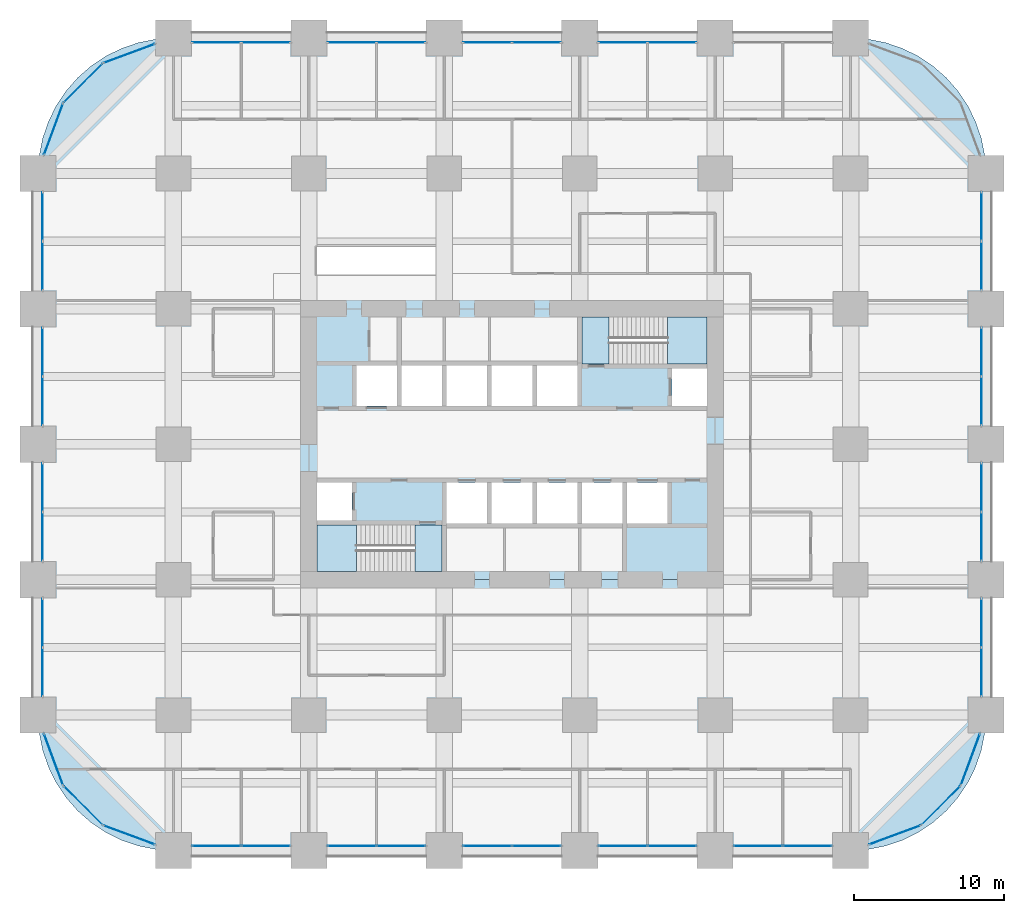
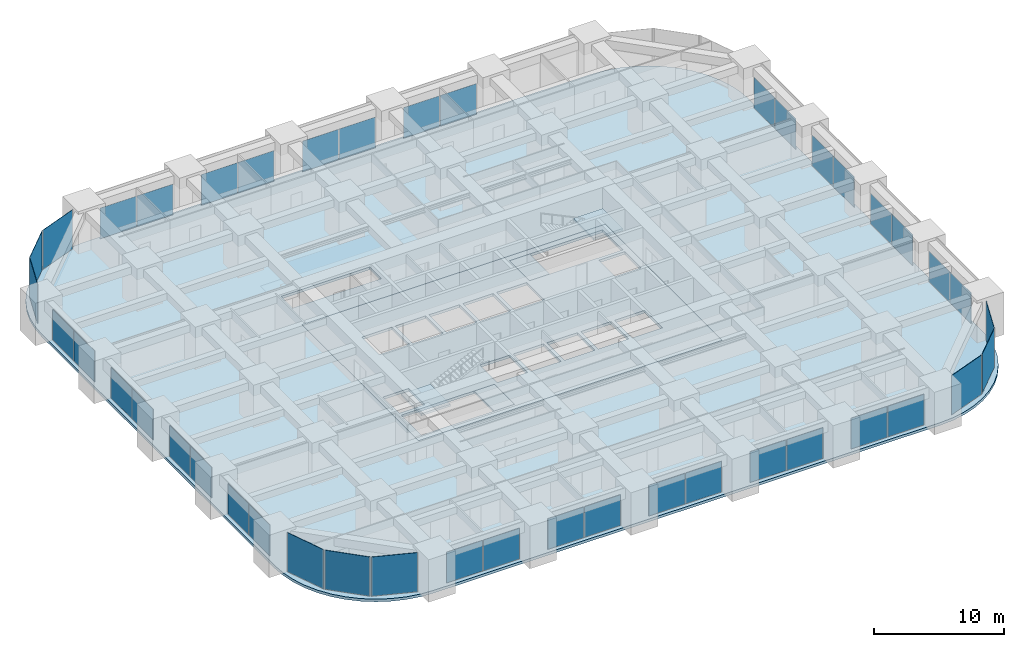
# One storey, part 38 of 44: 43 plates, 6 slabs, 28 elements without a shape of their own.
"""IFC4 building model written with IfcOpenShell, lengths in metres."""

from ifc_helpers import new_model, si_unit, direction, frame, origin, origin_2d, place, context, subcontext, project, spatial, polyline, rectangle, outline, extrude, material, layer, layer_set, type_object, element, aggregate, save


model = new_model("IFC4")

# Units and contexts
model_context = context("Model", 3, precision=1e-05, world=origin(), true_north=direction((0.0, 1.0)))
body_context = subcontext(model_context, "Body", "Model", "MODEL_VIEW")
ifc_project = project(units=[si_unit("LENGTHUNIT", "METRE"), si_unit("AREAUNIT", "SQUARE_METRE"), si_unit("VOLUMEUNIT", "CUBIC_METRE"), si_unit("PLANEANGLEUNIT", "RADIAN"), si_unit("MASSUNIT", "GRAM", prefix="KILO")], contexts=[model_context])

# Site, building, storey
site_placement = place(None, origin())
site = spatial("IfcSite", under=ifc_project, at=site_placement, CompositionType="ELEMENT")
building_placement = place(site_placement, origin())
building = spatial("IfcBuilding", under=site, at=building_placement, Name="Zorevar Civic Tower", CompositionType="ELEMENT")
storey_placement = place(building_placement, frame((0.0, 0.0, 43.800048828125)))
storey = spatial("IfcBuildingStorey", under=building, at=storey_placement, Name="L10", CompositionType="ELEMENT", Elevation=43.800048828125)

# Curtain wall, plates
ifc_material_1 = material(Name="Dark grey solar-control glass in black aluminium frame", Category="aluminium")
curtain_wall_type = type_object("IfcCurtainWallType", Name="Curtain wall CW2 low zone", PredefinedType="NOTDEFINED", material=ifc_material_1)
curtain_wall_1_placement = place(storey_placement, origin())
curtain_wall_1 = element("IfcCurtainWall", 1, at=curtain_wall_1_placement, inside=storey, type_object=curtain_wall_type, Name="CW2 L10", PredefinedType="NOTDEFINED")
ifc_material_2 = material(Name="Dark grey solar-control glass", Category="glass")
ifc_layer_1 = layer(ifc_material_2, 0.031982421875)
ifc_layer_set_1 = layer_set([ifc_layer_1], Name="CW2 panel 32")
plate_type = type_object("IfcPlateType", Name="CW2 panel 32", PredefinedType="CURTAIN_PANEL", material=ifc_layer_set_1)
plate_1_placement = place(storey_placement, frame((11.864990234375, 0.300048828125, 0.06005859375), z_axis=(0.0, 0.0, 1.0), x_axis=(1.0, 0.0, 0.0)))
plate_1 = element("IfcPlate", 2, at=plate_1_placement, type_object=plate_type, Name="CW2 panel 1.1", PredefinedType="CURTAIN_PANEL", context=body_context, shape_type="SweptSolid", body=[
    extrude(rectangle(XDim=3.2099609375, YDim=0.031982421875, at=origin_2d()), origin(), (0.0, 0.0, 1.0), 2.889892578125),
])
plate_2_placement = place(storey_placement, frame((15.135009765625, 0.300048828125, 0.06005859375), z_axis=(0.0, 0.0, 1.0), x_axis=(1.0, 0.0, 0.0)))
plate_2 = element("IfcPlate", 3, at=plate_2_placement, type_object=plate_type, Name="CW2 panel 2.1", PredefinedType="CURTAIN_PANEL", context=body_context, shape_type="SweptSolid", body=[
    extrude(rectangle(XDim=3.2099609375, YDim=0.031982421875, at=origin_2d()), origin(), (0.0, 0.0, 1.0), 2.889892578125),
])
aggregate(curtain_wall_1, [plate_1, plate_2])

curtain_wall_2_placement = place(storey_placement, origin())
curtain_wall_2 = element("IfcCurtainWall", 4, at=curtain_wall_2_placement, inside=storey, type_object=curtain_wall_type, Name="CW2 L10", PredefinedType="NOTDEFINED")
plate_3_placement = place(storey_placement, frame((11.864990234375, 53.699951171875, 0.06005859375), z_axis=(0.0, 0.0, 1.0), x_axis=(1.0, 0.0, 0.0)))
plate_3 = element("IfcPlate", 5, at=plate_3_placement, type_object=plate_type, Name="CW2 panel 1.1", PredefinedType="CURTAIN_PANEL", context=body_context, shape_type="SweptSolid", body=[
    extrude(rectangle(XDim=3.2099609375, YDim=0.031982421875, at=origin_2d()), origin(), (0.0, 0.0, 1.0), 2.889892578125),
])
plate_4_placement = place(storey_placement, frame((15.135009765625, 53.699951171875, 0.06005859375), z_axis=(0.0, 0.0, 1.0), x_axis=(1.0, 0.0, 0.0)))
plate_4 = element("IfcPlate", 6, at=plate_4_placement, type_object=plate_type, Name="CW2 panel 2.1", PredefinedType="CURTAIN_PANEL", context=body_context, shape_type="SweptSolid", body=[
    extrude(rectangle(XDim=3.2099609375, YDim=0.031982421875, at=origin_2d()), origin(), (0.0, 0.0, 1.0), 2.889892578125),
])
aggregate(curtain_wall_2, [plate_3, plate_4])

curtain_wall_3_placement = place(storey_placement, origin())
curtain_wall_3 = element("IfcCurtainWall", 7, at=curtain_wall_3_placement, inside=storey, type_object=curtain_wall_type, Name="CW2 L10", PredefinedType="NOTDEFINED")
plate_5_placement = place(storey_placement, frame((20.864990234375, 0.300048828125, 0.06005859375), z_axis=(0.0, 0.0, 1.0), x_axis=(1.0, 0.0, 0.0)))
plate_5 = element("IfcPlate", 8, at=plate_5_placement, type_object=plate_type, Name="CW2 panel 1.1", PredefinedType="CURTAIN_PANEL", context=body_context, shape_type="SweptSolid", body=[
    extrude(rectangle(XDim=3.2099609375, YDim=0.031982421875, at=origin_2d()), origin(), (0.0, 0.0, 1.0), 2.889892578125),
])
plate_6_placement = place(storey_placement, frame((24.135009765625, 0.300048828125, 0.06005859375), z_axis=(0.0, 0.0, 1.0), x_axis=(1.0, 0.0, 0.0)))
plate_6 = element("IfcPlate", 9, at=plate_6_placement, type_object=plate_type, Name="CW2 panel 2.1", PredefinedType="CURTAIN_PANEL", context=body_context, shape_type="SweptSolid", body=[
    extrude(rectangle(XDim=3.2099609375, YDim=0.031982421875, at=origin_2d()), origin(), (0.0, 0.0, 1.0), 2.889892578125),
])
aggregate(curtain_wall_3, [plate_5, plate_6])

curtain_wall_4_placement = place(storey_placement, origin())
curtain_wall_4 = element("IfcCurtainWall", 10, at=curtain_wall_4_placement, inside=storey, type_object=curtain_wall_type, Name="CW2 L10", PredefinedType="NOTDEFINED")
plate_7_placement = place(storey_placement, frame((20.864990234375, 53.699951171875, 0.06005859375), z_axis=(0.0, 0.0, 1.0), x_axis=(1.0, 0.0, 0.0)))
plate_7 = element("IfcPlate", 11, at=plate_7_placement, type_object=plate_type, Name="CW2 panel 1.1", PredefinedType="CURTAIN_PANEL", context=body_context, shape_type="SweptSolid", body=[
    extrude(rectangle(XDim=3.2099609375, YDim=0.031982421875, at=origin_2d()), origin(), (0.0, 0.0, 1.0), 2.889892578125),
])
plate_8_placement = place(storey_placement, frame((24.135009765625, 53.699951171875, 0.06005859375), z_axis=(0.0, 0.0, 1.0), x_axis=(1.0, 0.0, 0.0)))
plate_8 = element("IfcPlate", 12, at=plate_8_placement, type_object=plate_type, Name="CW2 panel 2.1", PredefinedType="CURTAIN_PANEL", context=body_context, shape_type="SweptSolid", body=[
    extrude(rectangle(XDim=3.2099609375, YDim=0.031982421875, at=origin_2d()), origin(), (0.0, 0.0, 1.0), 2.889892578125),
])
aggregate(curtain_wall_4, [plate_7, plate_8])

curtain_wall_5_placement = place(storey_placement, origin())
curtain_wall_5 = element("IfcCurtainWall", 13, at=curtain_wall_5_placement, inside=storey, type_object=curtain_wall_type, Name="CW2 L10", PredefinedType="NOTDEFINED")
plate_9_placement = place(storey_placement, frame((29.864990234375, 0.300048828125, 0.06005859375), z_axis=(0.0, 0.0, 1.0), x_axis=(1.0, 0.0, 0.0)))
plate_9 = element("IfcPlate", 14, at=plate_9_placement, type_object=plate_type, Name="CW2 panel 1.1", PredefinedType="CURTAIN_PANEL", context=body_context, shape_type="SweptSolid", body=[
    extrude(rectangle(XDim=3.2099609375, YDim=0.031982421875, at=origin_2d()), origin(), (0.0, 0.0, 1.0), 2.889892578125),
])
plate_10_placement = place(storey_placement, frame((33.135009765625, 0.300048828125, 0.06005859375), z_axis=(0.0, 0.0, 1.0), x_axis=(1.0, 0.0, 0.0)))
plate_10 = element("IfcPlate", 15, at=plate_10_placement, type_object=plate_type, Name="CW2 panel 2.1", PredefinedType="CURTAIN_PANEL", context=body_context, shape_type="SweptSolid", body=[
    extrude(rectangle(XDim=3.2099609375, YDim=0.031982421875, at=origin_2d()), origin(), (0.0, 0.0, 1.0), 2.889892578125),
])
aggregate(curtain_wall_5, [plate_9, plate_10])

curtain_wall_6_placement = place(storey_placement, origin())
curtain_wall_6 = element("IfcCurtainWall", 16, at=curtain_wall_6_placement, inside=storey, type_object=curtain_wall_type, Name="CW2 L10", PredefinedType="NOTDEFINED")
plate_11_placement = place(storey_placement, frame((29.864990234375, 53.699951171875, 0.06005859375), z_axis=(0.0, 0.0, 1.0), x_axis=(1.0, 0.0, 0.0)))
plate_11 = element("IfcPlate", 17, at=plate_11_placement, type_object=plate_type, Name="CW2 panel 1.1", PredefinedType="CURTAIN_PANEL", context=body_context, shape_type="SweptSolid", body=[
    extrude(rectangle(XDim=3.2099609375, YDim=0.031982421875, at=origin_2d()), origin(), (0.0, 0.0, 1.0), 2.889892578125),
])
plate_12_placement = place(storey_placement, frame((33.135009765625, 53.699951171875, 0.06005859375), z_axis=(0.0, 0.0, 1.0), x_axis=(1.0, 0.0, 0.0)))
plate_12 = element("IfcPlate", 18, at=plate_12_placement, type_object=plate_type, Name="CW2 panel 2.1", PredefinedType="CURTAIN_PANEL", context=body_context, shape_type="SweptSolid", body=[
    extrude(rectangle(XDim=3.2099609375, YDim=0.031982421875, at=origin_2d()), origin(), (0.0, 0.0, 1.0), 2.889892578125),
])
aggregate(curtain_wall_6, [plate_11, plate_12])

curtain_wall_7_placement = place(storey_placement, origin())
curtain_wall_7 = element("IfcCurtainWall", 19, at=curtain_wall_7_placement, inside=storey, type_object=curtain_wall_type, Name="CW2 L10", PredefinedType="NOTDEFINED")
plate_13_placement = place(storey_placement, frame((38.864990234375, 0.300048828125, 0.06005859375), z_axis=(0.0, 0.0, 1.0), x_axis=(1.0, 0.0, 0.0)))
plate_13 = element("IfcPlate", 20, at=plate_13_placement, type_object=plate_type, Name="CW2 panel 1.1", PredefinedType="CURTAIN_PANEL", context=body_context, shape_type="SweptSolid", body=[
    extrude(rectangle(XDim=3.2099609375, YDim=0.031982421875, at=origin_2d()), origin(), (0.0, 0.0, 1.0), 2.889892578125),
])
plate_14_placement = place(storey_placement, frame((42.135009765625, 0.300048828125, 0.06005859375), z_axis=(0.0, 0.0, 1.0), x_axis=(1.0, 0.0, 0.0)))
plate_14 = element("IfcPlate", 21, at=plate_14_placement, type_object=plate_type, Name="CW2 panel 2.1", PredefinedType="CURTAIN_PANEL", context=body_context, shape_type="SweptSolid", body=[
    extrude(rectangle(XDim=3.2099609375, YDim=0.031982421875, at=origin_2d()), origin(), (0.0, 0.0, 1.0), 2.889892578125),
])
aggregate(curtain_wall_7, [plate_13, plate_14])

curtain_wall_8_placement = place(storey_placement, origin())
curtain_wall_8 = element("IfcCurtainWall", 22, at=curtain_wall_8_placement, inside=storey, type_object=curtain_wall_type, Name="CW2 L10", PredefinedType="NOTDEFINED")
plate_15_placement = place(storey_placement, frame((38.864990234375, 53.699951171875, 0.06005859375), z_axis=(0.0, 0.0, 1.0), x_axis=(1.0, 0.0, 0.0)))
plate_15 = element("IfcPlate", 23, at=plate_15_placement, type_object=plate_type, Name="CW2 panel 1.1", PredefinedType="CURTAIN_PANEL", context=body_context, shape_type="SweptSolid", body=[
    extrude(rectangle(XDim=3.2099609375, YDim=0.031982421875, at=origin_2d()), origin(), (0.0, 0.0, 1.0), 2.889892578125),
])
plate_16_placement = place(storey_placement, frame((42.135009765625, 53.699951171875, 0.06005859375), z_axis=(0.0, 0.0, 1.0), x_axis=(1.0, 0.0, 0.0)))
plate_16 = element("IfcPlate", 24, at=plate_16_placement, type_object=plate_type, Name="CW2 panel 2.1", PredefinedType="CURTAIN_PANEL", context=body_context, shape_type="SweptSolid", body=[
    extrude(rectangle(XDim=3.2099609375, YDim=0.031982421875, at=origin_2d()), origin(), (0.0, 0.0, 1.0), 2.889892578125),
])
aggregate(curtain_wall_8, [plate_15, plate_16])

curtain_wall_9_placement = place(storey_placement, origin())
curtain_wall_9 = element("IfcCurtainWall", 25, at=curtain_wall_9_placement, inside=storey, type_object=curtain_wall_type, Name="CW2 L10", PredefinedType="NOTDEFINED")
plate_17_placement = place(storey_placement, frame((47.864990234375, 0.300048828125, 0.06005859375), z_axis=(0.0, 0.0, 1.0), x_axis=(1.0, 0.0, 0.0)))
plate_17 = element("IfcPlate", 26, at=plate_17_placement, type_object=plate_type, Name="CW2 panel 1.1", PredefinedType="CURTAIN_PANEL", context=body_context, shape_type="SweptSolid", body=[
    extrude(rectangle(XDim=3.2099609375, YDim=0.031982421875, at=origin_2d()), origin(), (0.0, 0.0, 1.0), 2.889892578125),
])
plate_18_placement = place(storey_placement, frame((51.135009765625, 0.300048828125, 0.06005859375), z_axis=(0.0, 0.0, 1.0), x_axis=(1.0, 0.0, 0.0)))
plate_18 = element("IfcPlate", 27, at=plate_18_placement, type_object=plate_type, Name="CW2 panel 2.1", PredefinedType="CURTAIN_PANEL", context=body_context, shape_type="SweptSolid", body=[
    extrude(rectangle(XDim=3.2099609375, YDim=0.031982421875, at=origin_2d()), origin(), (0.0, 0.0, 1.0), 2.889892578125),
])
aggregate(curtain_wall_9, [plate_17, plate_18])

curtain_wall_10_placement = place(storey_placement, origin())
curtain_wall_10 = element("IfcCurtainWall", 28, at=curtain_wall_10_placement, inside=storey, type_object=curtain_wall_type, Name="CW2 L10", PredefinedType="NOTDEFINED")
plate_19_placement = place(storey_placement, frame((0.300048828125, 11.864990234375, 0.06005859375), z_axis=(0.0, 0.0, 1.0), x_axis=(0.0, 1.0, 0.0)))
plate_19 = element("IfcPlate", 29, at=plate_19_placement, type_object=plate_type, Name="CW2 panel 1.1", PredefinedType="CURTAIN_PANEL", context=body_context, shape_type="SweptSolid", body=[
    extrude(rectangle(XDim=3.2099609375, YDim=0.031982421875, at=origin_2d()), origin(), (0.0, 0.0, 1.0), 2.889892578125),
])
plate_20_placement = place(storey_placement, frame((0.300048828125, 15.135009765625, 0.06005859375), z_axis=(0.0, 0.0, 1.0), x_axis=(0.0, 1.0, 0.0)))
plate_20 = element("IfcPlate", 30, at=plate_20_placement, type_object=plate_type, Name="CW2 panel 2.1", PredefinedType="CURTAIN_PANEL", context=body_context, shape_type="SweptSolid", body=[
    extrude(rectangle(XDim=3.2099609375, YDim=0.031982421875, at=origin_2d()), origin(), (0.0, 0.0, 1.0), 2.889892578125),
])
aggregate(curtain_wall_10, [plate_19, plate_20])

curtain_wall_11_placement = place(storey_placement, origin())
curtain_wall_11 = element("IfcCurtainWall", 31, at=curtain_wall_11_placement, inside=storey, type_object=curtain_wall_type, Name="CW2 L10", PredefinedType="NOTDEFINED")
plate_21_placement = place(storey_placement, frame((62.699951171875, 11.864990234375, 0.06005859375), z_axis=(0.0, 0.0, 1.0), x_axis=(0.0, 1.0, 0.0)))
plate_21 = element("IfcPlate", 32, at=plate_21_placement, type_object=plate_type, Name="CW2 panel 1.1", PredefinedType="CURTAIN_PANEL", context=body_context, shape_type="SweptSolid", body=[
    extrude(rectangle(XDim=3.2099609375, YDim=0.031982421875, at=origin_2d()), origin(), (0.0, 0.0, 1.0), 2.889892578125),
])
plate_22_placement = place(storey_placement, frame((62.699951171875, 15.135009765625, 0.06005859375), z_axis=(0.0, 0.0, 1.0), x_axis=(0.0, 1.0, 0.0)))
plate_22 = element("IfcPlate", 33, at=plate_22_placement, type_object=plate_type, Name="CW2 panel 2.1", PredefinedType="CURTAIN_PANEL", context=body_context, shape_type="SweptSolid", body=[
    extrude(rectangle(XDim=3.2099609375, YDim=0.031982421875, at=origin_2d()), origin(), (0.0, 0.0, 1.0), 2.889892578125),
])
aggregate(curtain_wall_11, [plate_21, plate_22])

curtain_wall_12_placement = place(storey_placement, origin())
curtain_wall_12 = element("IfcCurtainWall", 34, at=curtain_wall_12_placement, inside=storey, type_object=curtain_wall_type, Name="CW2 L10", PredefinedType="NOTDEFINED")
plate_23_placement = place(storey_placement, frame((0.300048828125, 20.864990234375, 0.06005859375), z_axis=(0.0, 0.0, 1.0), x_axis=(0.0, 1.0, 0.0)))
plate_23 = element("IfcPlate", 35, at=plate_23_placement, type_object=plate_type, Name="CW2 panel 1.1", PredefinedType="CURTAIN_PANEL", context=body_context, shape_type="SweptSolid", body=[
    extrude(rectangle(XDim=3.2099609375, YDim=0.031982421875, at=origin_2d()), origin(), (0.0, 0.0, 1.0), 2.889892578125),
])
plate_24_placement = place(storey_placement, frame((0.300048828125, 24.135009765625, 0.06005859375), z_axis=(0.0, 0.0, 1.0), x_axis=(0.0, 1.0, 0.0)))
plate_24 = element("IfcPlate", 36, at=plate_24_placement, type_object=plate_type, Name="CW2 panel 2.1", PredefinedType="CURTAIN_PANEL", context=body_context, shape_type="SweptSolid", body=[
    extrude(rectangle(XDim=3.2099609375, YDim=0.031982421875, at=origin_2d()), origin(), (0.0, 0.0, 1.0), 2.889892578125),
])
aggregate(curtain_wall_12, [plate_23, plate_24])

curtain_wall_13_placement = place(storey_placement, origin())
curtain_wall_13 = element("IfcCurtainWall", 37, at=curtain_wall_13_placement, inside=storey, type_object=curtain_wall_type, Name="CW2 L10", PredefinedType="NOTDEFINED")
plate_25_placement = place(storey_placement, frame((62.699951171875, 20.864990234375, 0.06005859375), z_axis=(0.0, 0.0, 1.0), x_axis=(0.0, 1.0, 0.0)))
plate_25 = element("IfcPlate", 38, at=plate_25_placement, type_object=plate_type, Name="CW2 panel 1.1", PredefinedType="CURTAIN_PANEL", context=body_context, shape_type="SweptSolid", body=[
    extrude(rectangle(XDim=3.2099609375, YDim=0.031982421875, at=origin_2d()), origin(), (0.0, 0.0, 1.0), 2.889892578125),
])
plate_26_placement = place(storey_placement, frame((62.699951171875, 24.135009765625, 0.06005859375), z_axis=(0.0, 0.0, 1.0), x_axis=(0.0, 1.0, 0.0)))
plate_26 = element("IfcPlate", 39, at=plate_26_placement, type_object=plate_type, Name="CW2 panel 2.1", PredefinedType="CURTAIN_PANEL", context=body_context, shape_type="SweptSolid", body=[
    extrude(rectangle(XDim=3.2099609375, YDim=0.031982421875, at=origin_2d()), origin(), (0.0, 0.0, 1.0), 2.889892578125),
])
aggregate(curtain_wall_13, [plate_25, plate_26])

curtain_wall_14_placement = place(storey_placement, origin())
curtain_wall_14 = element("IfcCurtainWall", 40, at=curtain_wall_14_placement, inside=storey, type_object=curtain_wall_type, Name="CW2 L10", PredefinedType="NOTDEFINED")
plate_27_placement = place(storey_placement, frame((0.300048828125, 29.864990234375, 0.06005859375), z_axis=(0.0, 0.0, 1.0), x_axis=(0.0, 1.0, 0.0)))
plate_27 = element("IfcPlate", 41, at=plate_27_placement, type_object=plate_type, Name="CW2 panel 1.1", PredefinedType="CURTAIN_PANEL", context=body_context, shape_type="SweptSolid", body=[
    extrude(rectangle(XDim=3.2099609375, YDim=0.031982421875, at=origin_2d()), origin(), (0.0, 0.0, 1.0), 2.889892578125),
])
plate_28_placement = place(storey_placement, frame((0.300048828125, 33.135009765625, 0.06005859375), z_axis=(0.0, 0.0, 1.0), x_axis=(0.0, 1.0, 0.0)))
plate_28 = element("IfcPlate", 42, at=plate_28_placement, type_object=plate_type, Name="CW2 panel 2.1", PredefinedType="CURTAIN_PANEL", context=body_context, shape_type="SweptSolid", body=[
    extrude(rectangle(XDim=3.2099609375, YDim=0.031982421875, at=origin_2d()), origin(), (0.0, 0.0, 1.0), 2.889892578125),
])
aggregate(curtain_wall_14, [plate_27, plate_28])

curtain_wall_15_placement = place(storey_placement, origin())
curtain_wall_15 = element("IfcCurtainWall", 43, at=curtain_wall_15_placement, inside=storey, type_object=curtain_wall_type, Name="CW2 L10", PredefinedType="NOTDEFINED")
plate_29_placement = place(storey_placement, frame((62.699951171875, 29.864990234375, 0.06005859375), z_axis=(0.0, 0.0, 1.0), x_axis=(0.0, 1.0, 0.0)))
plate_29 = element("IfcPlate", 44, at=plate_29_placement, type_object=plate_type, Name="CW2 panel 1.1", PredefinedType="CURTAIN_PANEL", context=body_context, shape_type="SweptSolid", body=[
    extrude(rectangle(XDim=3.2099609375, YDim=0.031982421875, at=origin_2d()), origin(), (0.0, 0.0, 1.0), 2.889892578125),
])
plate_30_placement = place(storey_placement, frame((62.699951171875, 33.135009765625, 0.06005859375), z_axis=(0.0, 0.0, 1.0), x_axis=(0.0, 1.0, 0.0)))
plate_30 = element("IfcPlate", 45, at=plate_30_placement, type_object=plate_type, Name="CW2 panel 2.1", PredefinedType="CURTAIN_PANEL", context=body_context, shape_type="SweptSolid", body=[
    extrude(rectangle(XDim=3.2099609375, YDim=0.031982421875, at=origin_2d()), origin(), (0.0, 0.0, 1.0), 2.889892578125),
])
aggregate(curtain_wall_15, [plate_29, plate_30])

curtain_wall_16_placement = place(storey_placement, origin())
curtain_wall_16 = element("IfcCurtainWall", 46, at=curtain_wall_16_placement, inside=storey, type_object=curtain_wall_type, Name="CW2 L10", PredefinedType="NOTDEFINED")
plate_31_placement = place(storey_placement, frame((0.300048828125, 38.864990234375, 0.06005859375), z_axis=(0.0, 0.0, 1.0), x_axis=(0.0, 1.0, 0.0)))
plate_31 = element("IfcPlate", 47, at=plate_31_placement, type_object=plate_type, Name="CW2 panel 1.1", PredefinedType="CURTAIN_PANEL", context=body_context, shape_type="SweptSolid", body=[
    extrude(rectangle(XDim=3.2099609375, YDim=0.031982421875, at=origin_2d()), origin(), (0.0, 0.0, 1.0), 2.889892578125),
])
plate_32_placement = place(storey_placement, frame((0.300048828125, 42.135009765625, 0.06005859375), z_axis=(0.0, 0.0, 1.0), x_axis=(0.0, 1.0, 0.0)))
plate_32 = element("IfcPlate", 48, at=plate_32_placement, type_object=plate_type, Name="CW2 panel 2.1", PredefinedType="CURTAIN_PANEL", context=body_context, shape_type="SweptSolid", body=[
    extrude(rectangle(XDim=3.2099609375, YDim=0.031982421875, at=origin_2d()), origin(), (0.0, 0.0, 1.0), 2.889892578125),
])
aggregate(curtain_wall_16, [plate_31, plate_32])

curtain_wall_17_placement = place(storey_placement, origin())
curtain_wall_17 = element("IfcCurtainWall", 49, at=curtain_wall_17_placement, inside=storey, type_object=curtain_wall_type, Name="CW2 L10", PredefinedType="NOTDEFINED")
plate_33_placement = place(storey_placement, frame((62.699951171875, 38.864990234375, 0.06005859375), z_axis=(0.0, 0.0, 1.0), x_axis=(0.0, 1.0, 0.0)))
plate_33 = element("IfcPlate", 50, at=plate_33_placement, type_object=plate_type, Name="CW2 panel 1.1", PredefinedType="CURTAIN_PANEL", context=body_context, shape_type="SweptSolid", body=[
    extrude(rectangle(XDim=3.2099609375, YDim=0.031982421875, at=origin_2d()), origin(), (0.0, 0.0, 1.0), 2.889892578125),
])
plate_34_placement = place(storey_placement, frame((62.699951171875, 42.135009765625, 0.06005859375), z_axis=(0.0, 0.0, 1.0), x_axis=(0.0, 1.0, 0.0)))
plate_34 = element("IfcPlate", 51, at=plate_34_placement, type_object=plate_type, Name="CW2 panel 2.1", PredefinedType="CURTAIN_PANEL", context=body_context, shape_type="SweptSolid", body=[
    extrude(rectangle(XDim=3.2099609375, YDim=0.031982421875, at=origin_2d()), origin(), (0.0, 0.0, 1.0), 2.889892578125),
])
aggregate(curtain_wall_17, [plate_33, plate_34])

# Curtain wall, plate
curtain_wall_18_placement = place(storey_placement, origin())
curtain_wall_18 = element("IfcCurtainWall", 52, at=curtain_wall_18_placement, inside=storey, type_object=curtain_wall_type, Name="CW2 L10", PredefinedType="NOTDEFINED")
plate_35_placement = place(storey_placement, frame((56.9462890625, 1.02880859375, 0.06005859375), z_axis=(0.0, 0.0, 1.0), x_axis=(0.937974588163, 0.346704012033, 0.0)))
plate_35 = element("IfcPlate", 53, at=plate_35_placement, type_object=plate_type, Name="CW2 panel 1.1", PredefinedType="CURTAIN_PANEL", context=body_context, shape_type="SweptSolid", body=[
    extrude(rectangle(XDim=3.603759765625, YDim=0.031982421875, at=origin_2d()), origin(), (0.0, 0.0, 1.0), 3.68994140625),
])
aggregate(curtain_wall_18, [plate_35])

curtain_wall_19_placement = place(storey_placement, origin())
curtain_wall_19 = element("IfcCurtainWall", 54, at=curtain_wall_19_placement, inside=storey, type_object=curtain_wall_type, Name="CW2 L10", PredefinedType="NOTDEFINED")
plate_36_placement = place(storey_placement, frame((60.00927734375, 2.99072265625, 0.06005859375), z_axis=(0.0, 0.0, 1.0), x_axis=(0.707106781187, 0.707106781187, 0.0)))
plate_36 = element("IfcPlate", 55, at=plate_36_placement, type_object=plate_type, Name="CW2 panel 1.1", PredefinedType="CURTAIN_PANEL", context=body_context, shape_type="SweptSolid", body=[
    extrude(rectangle(XDim=3.603759765625, YDim=0.031982421875, at=origin_2d()), origin(), (0.0, 0.0, 1.0), 3.68994140625),
])
aggregate(curtain_wall_19, [plate_36])

curtain_wall_20_placement = place(storey_placement, origin())
curtain_wall_20 = element("IfcCurtainWall", 56, at=curtain_wall_20_placement, inside=storey, type_object=curtain_wall_type, Name="CW2 L10", PredefinedType="NOTDEFINED")
plate_37_placement = place(storey_placement, frame((61.97119140625, 6.0537109375, 0.06005859375), z_axis=(0.0, 0.0, 1.0), x_axis=(0.346704012033, 0.937974588163, 0.0)))
plate_37 = element("IfcPlate", 57, at=plate_37_placement, type_object=plate_type, Name="CW2 panel 1.1", PredefinedType="CURTAIN_PANEL", context=body_context, shape_type="SweptSolid", body=[
    extrude(rectangle(XDim=3.603759765625, YDim=0.031982421875, at=origin_2d()), origin(), (0.0, 0.0, 1.0), 3.68994140625),
])
aggregate(curtain_wall_20, [plate_37])

curtain_wall_21_placement = place(storey_placement, origin())
curtain_wall_21 = element("IfcCurtainWall", 58, at=curtain_wall_21_placement, inside=storey, type_object=curtain_wall_type, Name="CW2 L10", PredefinedType="NOTDEFINED")
plate_38_placement = place(storey_placement, frame((6.0537109375, 52.97119140625, 0.06005859375), z_axis=(0.0, 0.0, 1.0), x_axis=(-0.937974588163, -0.346704012033, 0.0)))
plate_38 = element("IfcPlate", 59, at=plate_38_placement, type_object=plate_type, Name="CW2 panel 1.1", PredefinedType="CURTAIN_PANEL", context=body_context, shape_type="SweptSolid", body=[
    extrude(rectangle(XDim=3.603759765625, YDim=0.031982421875, at=origin_2d()), origin(), (0.0, 0.0, 1.0), 3.68994140625),
])
aggregate(curtain_wall_21, [plate_38])

curtain_wall_22_placement = place(storey_placement, origin())
curtain_wall_22 = element("IfcCurtainWall", 60, at=curtain_wall_22_placement, inside=storey, type_object=curtain_wall_type, Name="CW2 L10", PredefinedType="NOTDEFINED")
plate_39_placement = place(storey_placement, frame((2.99072265625, 51.00927734375, 0.06005859375), z_axis=(0.0, 0.0, 1.0), x_axis=(-0.707106781187, -0.707106781187, 0.0)))
plate_39 = element("IfcPlate", 61, at=plate_39_placement, type_object=plate_type, Name="CW2 panel 1.1", PredefinedType="CURTAIN_PANEL", context=body_context, shape_type="SweptSolid", body=[
    extrude(rectangle(XDim=3.603759765625, YDim=0.031982421875, at=origin_2d()), origin(), (0.0, 0.0, 1.0), 3.68994140625),
])
aggregate(curtain_wall_22, [plate_39])

curtain_wall_23_placement = place(storey_placement, origin())
curtain_wall_23 = element("IfcCurtainWall", 62, at=curtain_wall_23_placement, inside=storey, type_object=curtain_wall_type, Name="CW2 L10", PredefinedType="NOTDEFINED")
plate_40_placement = place(storey_placement, frame((1.02880859375, 47.9462890625, 0.06005859375), z_axis=(0.0, 0.0, 1.0), x_axis=(-0.346704012033, -0.937974588163, 0.0)))
plate_40 = element("IfcPlate", 63, at=plate_40_placement, type_object=plate_type, Name="CW2 panel 1.1", PredefinedType="CURTAIN_PANEL", context=body_context, shape_type="SweptSolid", body=[
    extrude(rectangle(XDim=3.603759765625, YDim=0.031982421875, at=origin_2d()), origin(), (0.0, 0.0, 1.0), 3.68994140625),
])
aggregate(curtain_wall_23, [plate_40])

curtain_wall_24_placement = place(storey_placement, origin())
curtain_wall_24 = element("IfcCurtainWall", 64, at=curtain_wall_24_placement, inside=storey, type_object=curtain_wall_type, Name="CW2 L10", PredefinedType="NOTDEFINED")
plate_41_placement = place(storey_placement, frame((1.02880859375, 6.0537109375, 0.06005859375), z_axis=(0.0, 0.0, 1.0), x_axis=(0.346704012033, -0.937974588163, 0.0)))
plate_41 = element("IfcPlate", 65, at=plate_41_placement, type_object=plate_type, Name="CW2 panel 1.1", PredefinedType="CURTAIN_PANEL", context=body_context, shape_type="SweptSolid", body=[
    extrude(rectangle(XDim=3.603759765625, YDim=0.031982421875, at=origin_2d()), origin(), (0.0, 0.0, 1.0), 3.68994140625),
])
aggregate(curtain_wall_24, [plate_41])

curtain_wall_25_placement = place(storey_placement, origin())
curtain_wall_25 = element("IfcCurtainWall", 66, at=curtain_wall_25_placement, inside=storey, type_object=curtain_wall_type, Name="CW2 L10", PredefinedType="NOTDEFINED")
plate_42_placement = place(storey_placement, frame((2.99072265625, 2.99072265625, 0.06005859375), z_axis=(0.0, 0.0, 1.0), x_axis=(0.707106781187, -0.707106781187, 0.0)))
plate_42 = element("IfcPlate", 67, at=plate_42_placement, type_object=plate_type, Name="CW2 panel 1.1", PredefinedType="CURTAIN_PANEL", context=body_context, shape_type="SweptSolid", body=[
    extrude(rectangle(XDim=3.603759765625, YDim=0.031982421875, at=origin_2d()), origin(), (0.0, 0.0, 1.0), 3.68994140625),
])
aggregate(curtain_wall_25, [plate_42])

curtain_wall_26_placement = place(storey_placement, origin())
curtain_wall_26 = element("IfcCurtainWall", 68, at=curtain_wall_26_placement, inside=storey, type_object=curtain_wall_type, Name="CW2 L10", PredefinedType="NOTDEFINED")
plate_43_placement = place(storey_placement, frame((6.0537109375, 1.02880859375, 0.06005859375), z_axis=(0.0, 0.0, 1.0), x_axis=(0.937974588163, -0.346704012033, 0.0)))
plate_43 = element("IfcPlate", 69, at=plate_43_placement, type_object=plate_type, Name="CW2 panel 1.1", PredefinedType="CURTAIN_PANEL", context=body_context, shape_type="SweptSolid", body=[
    extrude(rectangle(XDim=3.603759765625, YDim=0.031982421875, at=origin_2d()), origin(), (0.0, 0.0, 1.0), 3.68994140625),
])
aggregate(curtain_wall_26, [plate_43])

# Slabs
ifc_material_3 = material(Name="Concrete C40/50", Category="concrete")
ifc_layer_2 = layer(ifc_material_3, 0.25)
ifc_layer_set_2 = layer_set([ifc_layer_2], Name="Floor slab 250")
slab_type_1 = type_object("IfcSlabType", Name="Floor slab 250", PredefinedType="FLOOR", material=ifc_layer_set_2)
slab_1_placement = place(storey_placement, frame((0.0, 0.0, -0.25)))
element("IfcSlab", 70, at=slab_1_placement, inside=storey, type_object=slab_type_1, Name="Floor slab L10", PredefinedType="FLOOR", context=body_context, shape_type="SweptSolid", body=[
    extrude(outline(polyline([(54.0, 0.0), (55.1748046875, 0.076904296875), (56.329345703125, 0.306640625), (57.444091796875, 0.68505859375), (58.5, 1.205810546875), (59.478759765625, 1.85986328125), (60.364013671875, 2.635986328125), (61.14013671875, 3.521240234375), (61.794189453125, 4.5), (62.31494140625, 5.555908203125), (62.693359375, 6.670654296875), (62.923095703125, 7.8251953125), (63.0, 9.0), (63.0, 45.0), (62.923095703125, 46.1748046875), (62.693359375, 47.329345703125), (62.31494140625, 48.444091796875), (61.794189453125, 49.5), (61.14013671875, 50.478759765625), (60.364013671875, 51.364013671875), (59.478759765625, 52.14013671875), (58.5, 52.794189453125), (57.444091796875, 53.31494140625), (56.329345703125, 53.693359375), (55.1748046875, 53.923095703125), (54.0, 54.0), (9.0, 54.0), (7.8251953125, 53.923095703125), (6.670654296875, 53.693359375), (5.555908203125, 53.31494140625), (4.5, 52.794189453125), (3.521240234375, 52.14013671875), (2.635986328125, 51.364013671875), (1.85986328125, 50.478759765625), (1.205810546875, 49.5), (0.68505859375, 48.444091796875), (0.306640625, 47.329345703125), (0.076904296875, 46.1748046875), (0.0, 45.0), (0.0, 9.0), (0.076904296875, 7.8251953125), (0.306640625, 6.670654296875), (0.68505859375, 5.555908203125), (1.205810546875, 4.5), (1.85986328125, 3.521240234375), (2.635986328125, 2.635986328125), (3.521240234375, 1.85986328125), (4.5, 1.205810546875), (5.555908203125, 0.68505859375), (6.670654296875, 0.306640625), (7.8251953125, 0.076904296875), (9.0, 0.0), (54.0, 0.0)]), holes=[polyline([(18.0, 18.0), (45.0, 18.0), (45.0, 36.0), (18.0, 36.0), (18.0, 18.0)]), polyline([(18.5, 38.300048828125), (26.39990234375, 38.300048828125), (26.39990234375, 40.10009765625), (18.5, 40.10009765625), (18.5, 38.300048828125)])]), origin(), (0.0, 0.0, 1.0), 0.25),
])
slab_2_placement = place(storey_placement, frame((0.0, 0.0, -0.25)))
element("IfcSlab", 71, at=slab_2_placement, inside=storey, type_object=slab_type_1, Name="Core floor L10", PredefinedType="FLOOR", context=body_context, shape_type="SweptSolid", body=[
    extrude(outline(polyline([(18.0, 18.0), (45.0, 18.0), (45.0, 36.0), (18.0, 36.0), (18.0, 18.0)]), holes=[polyline([(18.550048828125, 18.550048828125), (26.85009765625, 18.550048828125), (26.85009765625, 21.64990234375), (18.550048828125, 21.64990234375), (18.550048828125, 18.550048828125)]), polyline([(36.14990234375, 32.35009765625), (44.449951171875, 32.35009765625), (44.449951171875, 35.449951171875), (36.14990234375, 35.449951171875), (36.14990234375, 32.35009765625)]), polyline([(18.550048828125, 21.949951171875), (20.85009765625, 21.949951171875), (20.85009765625, 24.449951171875), (18.550048828125, 24.449951171875), (18.550048828125, 21.949951171875)]), polyline([(42.14990234375, 29.550048828125), (44.449951171875, 29.550048828125), (44.449951171875, 32.050048828125), (42.14990234375, 32.050048828125), (42.14990234375, 29.550048828125)]), polyline([(27.14990234375, 21.75), (29.85009765625, 21.75), (29.85009765625, 24.449951171875), (27.14990234375, 24.449951171875), (27.14990234375, 21.75)]), polyline([(33.14990234375, 29.550048828125), (35.85009765625, 29.550048828125), (35.85009765625, 32.25), (33.14990234375, 32.25), (33.14990234375, 29.550048828125)]), polyline([(30.14990234375, 21.75), (32.85009765625, 21.75), (32.85009765625, 24.449951171875), (30.14990234375, 24.449951171875), (30.14990234375, 21.75)]), polyline([(30.14990234375, 29.550048828125), (32.85009765625, 29.550048828125), (32.85009765625, 32.25), (30.14990234375, 32.25), (30.14990234375, 29.550048828125)]), polyline([(33.14990234375, 21.75), (35.85009765625, 21.75), (35.85009765625, 24.449951171875), (33.14990234375, 24.449951171875), (33.14990234375, 21.75)]), polyline([(27.14990234375, 29.550048828125), (29.85009765625, 29.550048828125), (29.85009765625, 32.25), (27.14990234375, 32.25), (27.14990234375, 29.550048828125)]), polyline([(36.14990234375, 21.75), (38.85009765625, 21.75), (38.85009765625, 24.449951171875), (36.14990234375, 24.449951171875), (36.14990234375, 21.75)]), polyline([(24.14990234375, 29.550048828125), (26.85009765625, 29.550048828125), (26.85009765625, 32.25), (24.14990234375, 32.25), (24.14990234375, 29.550048828125)]), polyline([(39.14990234375, 21.75), (41.85009765625, 21.75), (41.85009765625, 24.449951171875), (39.14990234375, 24.449951171875), (39.14990234375, 21.75)]), polyline([(21.14990234375, 29.550048828125), (23.85009765625, 29.550048828125), (23.85009765625, 32.25), (21.14990234375, 32.25), (21.14990234375, 29.550048828125)])]), origin(), (0.0, 0.0, 1.0), 0.25),
])

# Stair, slabs
ifc_material_4 = material(Name="Precast concrete C40/50", Category="concrete")
stair_type = type_object("IfcStairType", Name="Stair ST 28R", PredefinedType="HALF_TURN_STAIR", material=ifc_material_4)
stair_1_placement = place(storey_placement, origin())
stair_1 = element("IfcStair", 72, at=stair_1_placement, inside=storey, type_object=stair_type, Name="Stair ST1 L10", PredefinedType="HALF_TURN_STAIR")
ifc_material_5 = material(Name="Concrete C40/50", Category="concrete")
ifc_layer_3 = layer(ifc_material_5, 0.199951171875)
ifc_layer_set_3 = layer_set([ifc_layer_3], Name="Stair landing 200")
slab_type_2 = type_object("IfcSlabType", Name="Stair landing 200", PredefinedType="LANDING", material=ifc_layer_set_3)
slab_3_placement = place(storey_placement, frame((0.0, 0.0, -0.199951171875)))
slab_3 = element("IfcSlab", 73, at=slab_3_placement, type_object=slab_type_2, Name="ST1 landing 1", PredefinedType="LANDING", context=body_context, shape_type="SweptSolid", body=[
    extrude(outline(polyline([(25.050048828125, 18.550048828125), (26.85009765625, 18.550048828125), (26.85009765625, 21.64990234375), (25.050048828125, 21.64990234375), (25.050048828125, 18.550048828125)])), origin(), (0.0, 0.0, 1.0), 0.199951171875),
])
slab_4_placement = place(storey_placement, frame((0.0, 0.0, 1.800048828125)))
slab_4 = element("IfcSlab", 74, at=slab_4_placement, type_object=slab_type_2, Name="ST1 landing 2", PredefinedType="LANDING", context=body_context, shape_type="SweptSolid", body=[
    extrude(outline(polyline([(18.550048828125, 18.550048828125), (21.14990234375, 18.550048828125), (21.14990234375, 21.64990234375), (18.550048828125, 21.64990234375), (18.550048828125, 18.550048828125)])), origin(), (0.0, 0.0, 1.0), 0.199951171875),
])
aggregate(stair_1, [slab_3, slab_4])

stair_2_placement = place(storey_placement, origin())
stair_2 = element("IfcStair", 75, at=stair_2_placement, inside=storey, type_object=stair_type, Name="Stair ST2 L10", PredefinedType="HALF_TURN_STAIR")
slab_5_placement = place(storey_placement, frame((0.0, 0.0, -0.199951171875)))
slab_5 = element("IfcSlab", 76, at=slab_5_placement, type_object=slab_type_2, Name="ST2 landing 1", PredefinedType="LANDING", context=body_context, shape_type="SweptSolid", body=[
    extrude(outline(polyline([(37.949951171875, 32.35009765625), (36.14990234375, 32.35009765625), (36.14990234375, 35.449951171875), (37.949951171875, 35.449951171875), (37.949951171875, 32.35009765625)])), origin(), (0.0, 0.0, 1.0), 0.199951171875),
])
slab_6_placement = place(storey_placement, frame((0.0, 0.0, 1.800048828125)))
slab_6 = element("IfcSlab", 77, at=slab_6_placement, type_object=slab_type_2, Name="ST2 landing 2", PredefinedType="LANDING", context=body_context, shape_type="SweptSolid", body=[
    extrude(outline(polyline([(44.449951171875, 32.35009765625), (41.85009765625, 32.35009765625), (41.85009765625, 35.449951171875), (44.449951171875, 35.449951171875), (44.449951171875, 32.35009765625)])), origin(), (0.0, 0.0, 1.0), 0.199951171875),
])
aggregate(stair_2, [slab_5, slab_6])

save(model, "model.ifc")
